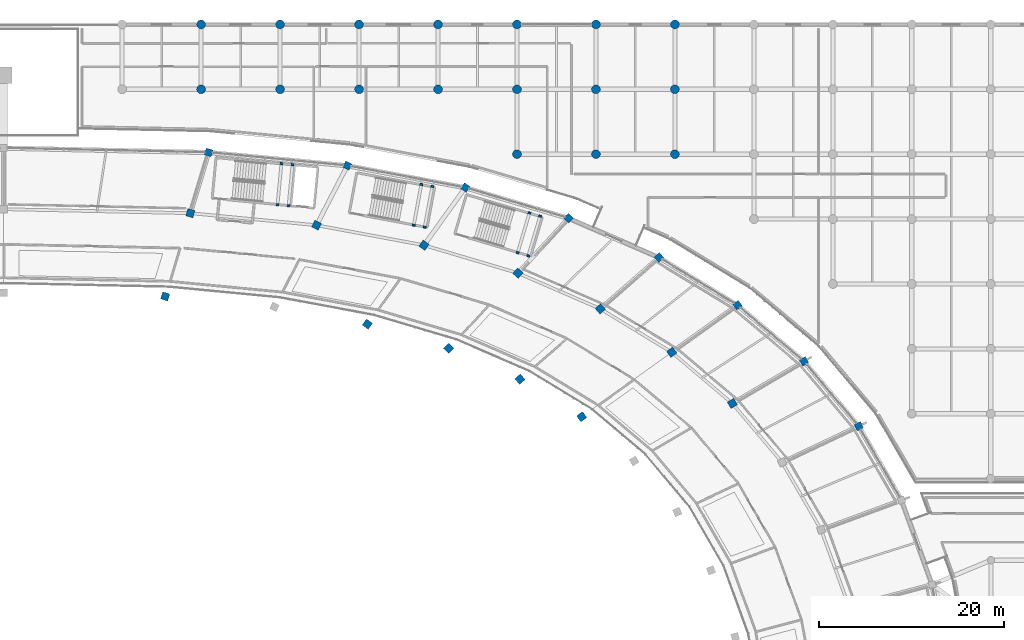
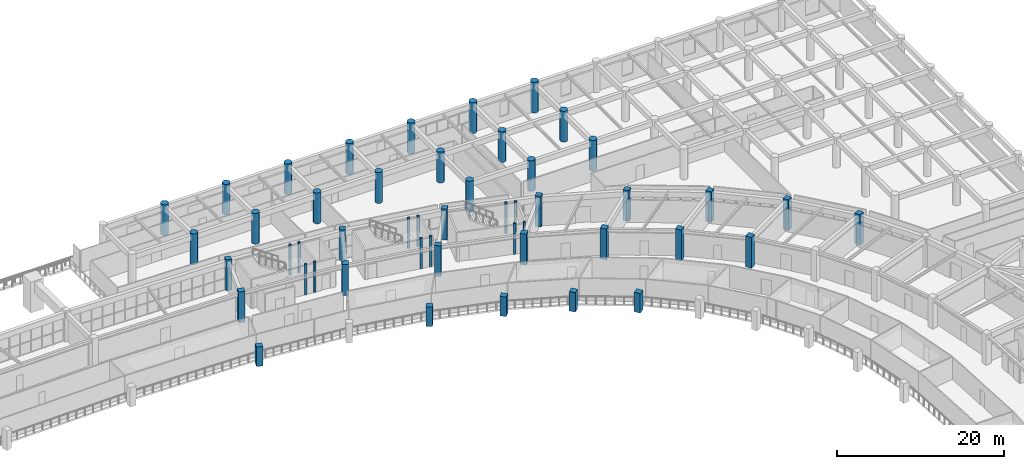
# One storey, part 9 of 141: 49 columns.
"""IFC4 building model written with IfcOpenShell, lengths in metres."""

from ifc_helpers import new_model, si_unit, direction, frame, origin, origin_2d, place, context, subcontext, project, spatial, rectangle, circle, extrude, material, material_profile, profile_set, type_object, element, save


model = new_model("IFC4")

# Units and contexts
model_context = context("Model", 3, precision=1e-05, world=origin(), true_north=direction((0.0, 1.0)))
body_context = subcontext(model_context, "Body", "Model", "MODEL_VIEW")
ifc_project = project(units=[si_unit("LENGTHUNIT", "METRE"), si_unit("AREAUNIT", "SQUARE_METRE"), si_unit("VOLUMEUNIT", "CUBIC_METRE"), si_unit("PLANEANGLEUNIT", "RADIAN"), si_unit("MASSUNIT", "GRAM", prefix="KILO")], contexts=[model_context])

# Site, building, storey
site_placement = place(None, origin())
site = spatial("IfcSite", under=ifc_project, at=site_placement, CompositionType="ELEMENT")
building_placement = place(site_placement, origin())
building = spatial("IfcBuilding", under=site, at=building_placement, Name="Mphavela Belvedere Stadium", CompositionType="ELEMENT")
storey_placement = place(building_placement, frame((0.0, 0.0, 14.699951171875)))
storey = spatial("IfcBuildingStorey", under=building, at=storey_placement, Name="L03", CompositionType="ELEMENT", Elevation=14.699951171875)

# Columns
ifc_material_1 = material(Name="Concrete C40/50", Category="concrete")
ifc_material_profile_1 = material_profile(ifc_material_1, rectangle(XDim=0.300048828125, YDim=0.219970703125, at=origin_2d()), Name="RC 300x220")
ifc_profile_set_1 = profile_set([ifc_material_profile_1], Name="Concrete C40/50")
column_type_1 = type_object("IfcColumnType", Name="COL-CORE-POST-300", PredefinedType="COLUMN", material=ifc_profile_set_1)
for number, where, z_axis, x_axis, name in (
    (1, (144.53515625, 154.541259765625, 0.0), (0.0, 0.0, 1.0), (0.995479460536, -0.094977069084, 0.0), "Core C03 stair frame column L03-1"),
    (2, (145.729736328125, 154.42724609375, 0.0), (0.0, 0.0, 1.0), (0.995479460536, -0.094977069084, 0.0), "Core C03 stair frame column L03-2"),
    (3, (146.154296875, 158.877197265625, 0.0), (0.0, 0.0, 1.0), (0.995479460536, -0.094977069084, 0.0), "Core C03 stair frame column L03-3"),
    (4, (144.959716796875, 158.990966796875, 0.0), (0.0, 0.0, 1.0), (0.995479460536, -0.094977069084, 0.0), "Core C03 stair frame column L03-4"),
    (5, (170.44189453125, 149.372802734375, 0.0), (0.0, 0.0, 1.0), (0.958670893355, -0.284517342588, 0.0), "Core P01 stair frame column L03-1"),
    (6, (171.59228515625, 149.031494140625, 0.0), (0.0, 0.0, 1.0), (0.958670893355, -0.284517342588, 0.0), "Core P01 stair frame column L03-2"),
    (7, (172.8642578125, 153.316650390625, 0.0), (0.0, 0.0, 1.0), (0.958670893355, -0.284517342588, 0.0), "Core P01 stair frame column L03-3"),
    (8, (171.7138671875, 153.658203125, 0.0), (0.0, 0.0, 1.0), (0.958670893355, -0.284517342588, 0.0), "Core P01 stair frame column L03-4"),
    (9, (159.233154296875, 152.34033203125, 0.0), (0.0, 0.0, 1.0), (0.983095502692, -0.183093507769, 0.0), "Core P02 stair frame column L03-1"),
    (10, (160.4130859375, 152.12060546875, 0.0), (0.0, 0.0, 1.0), (0.983095502692, -0.183093507769, 0.0), "Core P02 stair frame column L03-2"),
    (11, (161.2314453125, 156.514892578125, 0.0), (0.0, 0.0, 1.0), (0.983095502692, -0.183093507769, 0.0), "Core P02 stair frame column L03-3"),
    (12, (160.0517578125, 156.734619140625, 0.0), (0.0, 0.0, 1.0), (0.983095502692, -0.183093507769, 0.0), "Core P02 stair frame column L03-4"),
):
    element("IfcColumn", number, at=place(storey_placement, frame(where, z_axis=z_axis, x_axis=x_axis)), inside=storey, type_object=column_type_1, Name=name, PredefinedType="COLUMN", context=body_context, shape_type="SweptSolid", body=[
        extrude(rectangle(XDim=0.300048828125, YDim=0.219970703125, at=origin_2d()), origin(), (0.0, 0.0, 1.0), 4.5),
    ])
ifc_material_2 = material(Name="Concrete C40/50", Category="concrete")
ifc_material_profile_2 = material_profile(ifc_material_2, circle(Radius=0.47509765625, at=origin_2d()), Name="COL D950")
ifc_profile_set_2 = profile_set([ifc_material_profile_2], Name="Concrete C40/50")
column_type_2 = type_object("IfcColumnType", Name="COL-DORIC-950", PredefinedType="COLUMN", material=ifc_profile_set_2)
for number, where, z_axis, x_axis, name in (
    (13, (136.2958984375, 167.0, 0.0), (0.0, 0.0, 1.0), (1.0, 0.0, 0.0), "North Mast and Ceremonial End Forecourt classical column L03 17-7"),
    (14, (136.2958984375, 174.0, 0.0), (0.0, 0.0, 1.0), (1.0, 0.0, 0.0), "North Mast and Ceremonial End Forecourt classical column L03 17-8"),
    (15, (144.81494140625, 167.0, 0.0), (0.0, 0.0, 1.0), (1.0, 0.0, 0.0), "North Mast and Ceremonial End Forecourt classical column L03 18-7"),
    (16, (144.81494140625, 174.0, 0.0), (0.0, 0.0, 1.0), (1.0, 0.0, 0.0), "North Mast and Ceremonial End Forecourt classical column L03 18-8"),
    (17, (153.3330078125, 167.0, 0.0), (0.0, 0.0, 1.0), (1.0, 0.0, 0.0), "North Mast and Ceremonial End Forecourt classical column L03 19-7"),
    (18, (153.3330078125, 174.0, 0.0), (0.0, 0.0, 1.0), (1.0, 0.0, 0.0), "North Mast and Ceremonial End Forecourt classical column L03 19-8"),
    (19, (161.85205078125, 167.0, 0.0), (0.0, 0.0, 1.0), (1.0, 0.0, 0.0), "North Mast and Ceremonial End Forecourt classical column L03 20-7"),
    (20, (161.85205078125, 174.0, 0.0), (0.0, 0.0, 1.0), (1.0, 0.0, 0.0), "North Mast and Ceremonial End Forecourt classical column L03 20-8"),
    (21, (170.3701171875, 160.0, 0.0), (0.0, 0.0, 1.0), (1.0, 0.0, 0.0), "North Mast and Ceremonial End Forecourt classical column L03 21-6"),
    (22, (170.3701171875, 167.0, 0.0), (0.0, 0.0, 1.0), (1.0, 0.0, 0.0), "North Mast and Ceremonial End Forecourt classical column L03 21-7"),
    (23, (170.3701171875, 174.0, 0.0), (0.0, 0.0, 1.0), (1.0, 0.0, 0.0), "North Mast and Ceremonial End Forecourt classical column L03 21-8"),
    (24, (178.888916015625, 160.0, 0.0), (0.0, 0.0, 1.0), (1.0, 0.0, 0.0), "North Mast and Ceremonial End Forecourt classical column L03 22-6"),
    (25, (178.888916015625, 167.0, 0.0), (0.0, 0.0, 1.0), (1.0, 0.0, 0.0), "North Mast and Ceremonial End Forecourt classical column L03 22-7"),
    (26, (178.888916015625, 174.0, 0.0), (0.0, 0.0, 1.0), (1.0, 0.0, 0.0), "North Mast and Ceremonial End Forecourt classical column L03 22-8"),
    (27, (187.406982421875, 160.0, 0.0), (0.0, 0.0, 1.0), (1.0, 0.0, 0.0), "North Mast and Ceremonial End Forecourt classical column L03 23-6"),
    (28, (187.406982421875, 167.0, 0.0), (0.0, 0.0, 1.0), (1.0, 0.0, 0.0), "North Mast and Ceremonial End Forecourt classical column L03 23-7"),
    (29, (187.406982421875, 174.0, 0.0), (0.0, 0.0, 1.0), (1.0, 0.0, 0.0), "North Mast and Ceremonial End Forecourt classical column L03 23-8"),
):
    element("IfcColumn", number, at=place(storey_placement, frame(where, z_axis=z_axis, x_axis=x_axis)), inside=storey, type_object=column_type_2, Name=name, PredefinedType="COLUMN", context=body_context, shape_type="SweptSolid", body=[
        extrude(circle(Radius=0.47509765625, at=origin_2d()), origin(), (0.0, 0.0, 1.0), 4.5),
    ])
ifc_material_3 = material(Name="Concrete C40/50", Category="concrete")
ifc_material_profile_3 = material_profile(ifc_material_3, rectangle(XDim=0.75, YDim=0.75, at=origin_2d()), Name="RC 750x750")
ifc_profile_set_3 = profile_set([ifc_material_profile_3], Name="Concrete C40/50")
column_type_3 = type_object("IfcColumnType", Name="COL-RC750", PredefinedType="COLUMN", material=ifc_profile_set_3)
for number, where, z_axis, x_axis, name in (
    (30, (207.242431640625, 130.66162109375, 0.0), (0.0, 0.0, 1.0), (0.903858661687, 0.4278311813, 0.0), "Outer colonnade column L03 R4-05"),
    (31, (201.33837890625, 137.653564453125, 0.0), (0.0, 0.0, 1.0), (0.862513669207, 0.506033764121, 0.0), "Outer colonnade column L03 R4-06"),
    (32, (194.155517578125, 143.714599609375, 0.0), (0.0, 0.0, 1.0), (0.812897512265, 0.582406760395, 0.0), "Outer colonnade column L03 R4-07"),
    (33, (185.6962890625, 148.86083984375, 0.0), (0.0, 0.0, 1.0), (0.752529860433, 0.658558128912, 0.0), "Outer colonnade column L03 R4-08"),
    (34, (175.9375, 153.09130859375, 0.0), (0.0, 0.0, 1.0), (0.677903094969, 0.735151272753, 0.0), "Outer colonnade column L03 R4-09"),
    (35, (164.80126953125, 156.39697265625, 0.0), (0.0, 0.0, 1.0), (0.582974127943, 0.812490717577, 0.0), "Outer colonnade column L03 R4-10"),
    (36, (152.07275390625, 158.767333984375, 0.0), (0.0, 0.0, 1.0), (0.458959712465, 0.888457079624, 0.0), "Outer colonnade column L03 R4-11"),
    (37, (137.114501953125, 160.19384765625, 0.0), (0.0, 0.0, 1.0), (0.289198876314, 0.957269037387, 0.0), "Outer colonnade column L03 R4-12"),
):
    element("IfcColumn", number, at=place(storey_placement, frame(where, z_axis=z_axis, x_axis=x_axis)), inside=storey, type_object=column_type_3, Name=name, PredefinedType="COLUMN", context=body_context, shape_type="SweptSolid", body=[
        extrude(rectangle(XDim=0.75, YDim=0.75, at=origin_2d()), origin(), (0.0, 0.0, 1.0), 4.5),
    ])
ifc_material_4 = material(Name="Concrete C40/50", Category="concrete")
ifc_material_profile_4 = material_profile(ifc_material_4, rectangle(XDim=0.800048828125, YDim=0.800048828125, at=origin_2d()), Name="RC 800x800")
ifc_profile_set_4 = profile_set([ifc_material_profile_4], Name="Concrete C40/50")
column_type_4 = type_object("IfcColumnType", Name="COL-RC800", PredefinedType="COLUMN", material=ifc_profile_set_4)
column_1_placement = place(storey_placement, frame((193.600341796875, 133.11376953125, 0.0), z_axis=(0.0, 0.0, 1.0), x_axis=(0.862513669207, 0.506033764121, 0.0)))
element("IfcColumn", 38, at=column_1_placement, inside=storey, type_object=column_type_4, Name="Main bowl column L03 R3-06", PredefinedType="COLUMN", context=body_context, shape_type="SweptSolid", body=[
    extrude(rectangle(XDim=0.800048828125, YDim=0.800048828125, at=origin_2d()), origin(), (0.0, 0.0, 1.0), 4.5),
])
column_2_placement = place(storey_placement, frame((177.353759765625, 131.676025390625, 0.0), z_axis=(0.0, 0.0, 1.0), x_axis=(0.812897512265, 0.582406760395, 0.0)))
element("IfcColumn", 39, at=column_2_placement, inside=storey, type_object=column_type_4, Name="Upper raker support column L03 R2-07", PredefinedType="COLUMN", context=body_context, shape_type="SweptSolid", body=[
    extrude(rectangle(XDim=0.800048828125, YDim=0.800048828125, at=origin_2d()), origin(), (0.0, 0.0, 1.0), 2.85009765625),
])
column_3_placement = place(storey_placement, frame((187.061279296875, 138.631591796875, 0.0), z_axis=(0.0, 0.0, 1.0), x_axis=(0.812897512265, 0.582406760395, 0.0)))
element("IfcColumn", 40, at=column_3_placement, inside=storey, type_object=column_type_4, Name="Main bowl column L03 R3-07", PredefinedType="COLUMN", context=body_context, shape_type="SweptSolid", body=[
    extrude(rectangle(XDim=0.800048828125, YDim=0.800048828125, at=origin_2d()), origin(), (0.0, 0.0, 1.0), 4.5),
])
column_4_placement = place(storey_placement, frame((170.68994140625, 135.72998046875, 0.0), z_axis=(0.0, 0.0, 1.0), x_axis=(0.752529860433, 0.658558128912, 0.0)))
element("IfcColumn", 41, at=column_4_placement, inside=storey, type_object=column_type_4, Name="Upper raker support column L03 R2-08", PredefinedType="COLUMN", context=body_context, shape_type="SweptSolid", body=[
    extrude(rectangle(XDim=0.800048828125, YDim=0.800048828125, at=origin_2d()), origin(), (0.0, 0.0, 1.0), 2.85009765625),
])
column_5_placement = place(storey_placement, frame((179.360107421875, 143.31689453125, 0.0), z_axis=(0.0, 0.0, 1.0), x_axis=(0.752529860433, 0.658558128912, 0.0)))
element("IfcColumn", 42, at=column_5_placement, inside=storey, type_object=column_type_4, Name="Main bowl column L03 R3-08", PredefinedType="COLUMN", context=body_context, shape_type="SweptSolid", body=[
    extrude(rectangle(XDim=0.800048828125, YDim=0.800048828125, at=origin_2d()), origin(), (0.0, 0.0, 1.0), 4.5),
])
column_6_placement = place(storey_placement, frame((163.002685546875, 139.0625, 0.0), z_axis=(0.0, 0.0, 1.0), x_axis=(0.677903094969, 0.735151272753, 0.0)))
element("IfcColumn", 43, at=column_6_placement, inside=storey, type_object=column_type_4, Name="Upper raker support column L03 R2-09", PredefinedType="COLUMN", context=body_context, shape_type="SweptSolid", body=[
    extrude(rectangle(XDim=0.800048828125, YDim=0.800048828125, at=origin_2d()), origin(), (0.0, 0.0, 1.0), 2.85009765625),
])
column_7_placement = place(storey_placement, frame((170.476318359375, 147.16796875, 0.0), z_axis=(0.0, 0.0, 1.0), x_axis=(0.677903094969, 0.735151272753, 0.0)))
element("IfcColumn", 44, at=column_7_placement, inside=storey, type_object=column_type_4, Name="Main bowl column L03 R3-09", PredefinedType="COLUMN", context=body_context, shape_type="SweptSolid", body=[
    extrude(rectangle(XDim=0.800048828125, YDim=0.800048828125, at=origin_2d()), origin(), (0.0, 0.0, 1.0), 4.5),
])
column_8_placement = place(storey_placement, frame((154.230224609375, 141.66650390625, 0.0), z_axis=(0.0, 0.0, 1.0), x_axis=(0.582974127943, 0.812490717577, 0.0)))
element("IfcColumn", 45, at=column_8_placement, inside=storey, type_object=column_type_4, Name="Upper raker support column L03 R2-10", PredefinedType="COLUMN", context=body_context, shape_type="SweptSolid", body=[
    extrude(rectangle(XDim=0.800048828125, YDim=0.800048828125, at=origin_2d()), origin(), (0.0, 0.0, 1.0), 2.85009765625),
])
for number, where, z_axis, x_axis, name in (
    (46, (160.337890625, 150.177490234375, 0.0), (0.0, 0.0, 1.0), (0.582974127943, 0.812490717577, 0.0), "Main bowl column L03 R3-10"),
    (47, (148.750244140625, 152.33544921875, 0.0), (0.0, 0.0, 1.0), (0.458959712465, 0.888457079624, 0.0), "Main bowl column L03 R3-11"),
):
    element("IfcColumn", number, at=place(storey_placement, frame(where, z_axis=z_axis, x_axis=x_axis)), inside=storey, type_object=column_type_4, Name=name, PredefinedType="COLUMN", context=body_context, shape_type="SweptSolid", body=[
        extrude(rectangle(XDim=0.800048828125, YDim=0.800048828125, at=origin_2d()), origin(), (0.0, 0.0, 1.0), 4.5),
    ])
column_9_placement = place(storey_placement, frame((132.42041015625, 144.657470703125, 0.0), z_axis=(0.0, 0.0, 1.0), x_axis=(0.289198876314, 0.957269037387, 0.0)))
element("IfcColumn", 48, at=column_9_placement, inside=storey, type_object=column_type_4, Name="Upper raker support column L03 R2-12", PredefinedType="COLUMN", context=body_context, shape_type="SweptSolid", body=[
    extrude(rectangle(XDim=0.800048828125, YDim=0.800048828125, at=origin_2d()), origin(), (0.0, 0.0, 1.0), 2.85009765625),
])
column_10_placement = place(storey_placement, frame((135.1328125, 153.634033203125, 0.0), z_axis=(0.0, 0.0, 1.0), x_axis=(0.289198876314, 0.957269037387, 0.0)))
element("IfcColumn", 49, at=column_10_placement, inside=storey, type_object=column_type_4, Name="Main bowl column L03 R3-12", PredefinedType="COLUMN", context=body_context, shape_type="SweptSolid", body=[
    extrude(rectangle(XDim=0.800048828125, YDim=0.800048828125, at=origin_2d()), origin(), (0.0, 0.0, 1.0), 4.5),
])

save(model, "model.ifc")
